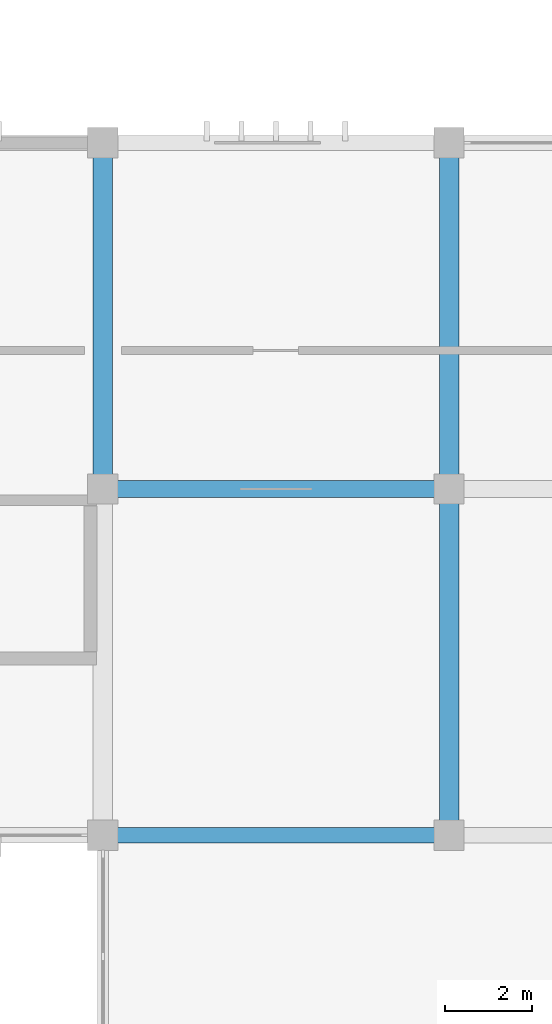
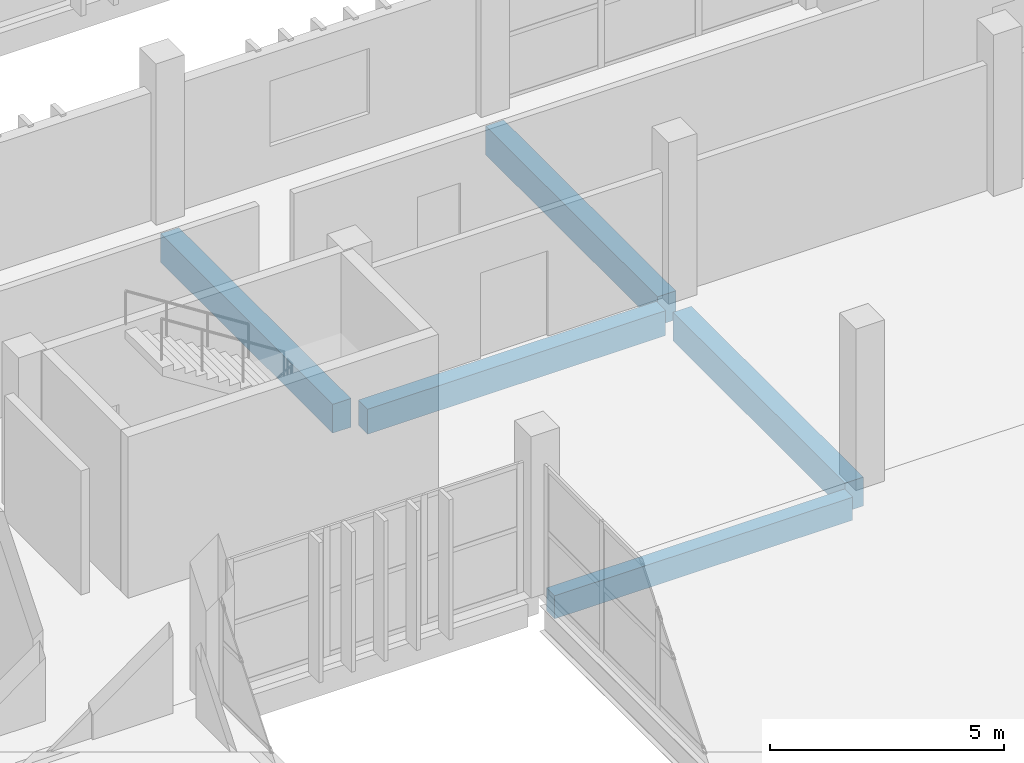
# One storey, part 59 of 137: 5 beams.
"""IFC4 building model written with IfcOpenShell, lengths in metres."""

import ifcopenshell
import ifcopenshell.guid

model = None  # the IFC model being written
_history = None  # IfcOwnerHistory: only IFC2X3 demands one
_inside = {}  # id of a spatial element -> (the spatial element, [elements in it])
_under = {}  # id of a project, library or spatial element -> (it, [spatial elements below it])
_declared = {}  # id of a project -> (the project, [libraries it declares])
_typed = {}  # id of a type object -> (the type object, [elements of that type])
_made_of = {}  # id of a material, layer set ... -> (it, [elements and type objects made of it])


def new_model(schema):
    """Start an empty IFC model of exactly this schema.

    Asked for "IFC4X3", IfcOpenShell would pick the latest addendum, in which some entities
    have other attributes; the version numbers below select the first issue.
    IFC2X3 requires an IfcOwnerHistory on every rooted entity: one is made here for all.
    """
    global model, _history
    if schema == "IFC4X3":
        model = ifcopenshell.file(schema_version=(4, 3, 0, 0))
    else:
        model = ifcopenshell.file(schema=schema)
    _inside.clear()
    _under.clear()
    _declared.clear()
    _typed.clear()
    _made_of.clear()
    _history = None
    if model.schema == "IFC2X3":
        org = make("IfcOrganization", Name="unknown")
        user = make(
            "IfcPersonAndOrganization",
            ThePerson=make("IfcPerson", FamilyName="unknown"),
            TheOrganization=org,
        )
        app = make(
            "IfcApplication",
            ApplicationDeveloper=org,
            Version="unknown",
            ApplicationFullName="unknown",
            ApplicationIdentifier="unknown",
        )
        _history = make(
            "IfcOwnerHistory",
            OwningUser=user,
            OwningApplication=app,
            ChangeAction="ADDED",
            CreationDate=0,
        )
    return model


def make(cls, **values):
    """One entity of the class cls with the attributes given. An attribute that is None is left unset."""
    return model.create_entity(
        cls, **{name: value for name, value in values.items() if value is not None}
    )


def rooted(cls, **values):
    """An entity with a GlobalId (a new one), such as an element, a storey or a relation."""
    return make(cls, GlobalId=ifcopenshell.guid.new(), OwnerHistory=_history, **values)


def si_unit(unit_type, name, prefix=None):
    """IfcSIUnit, for example si_unit("LENGTHUNIT", "METRE", prefix="MILLI")."""
    return make("IfcSIUnit", UnitType=unit_type, Prefix=prefix, Name=name)


def assignment(units):
    """IfcUnitAssignment: the units of a project."""
    return None if units is None else make("IfcUnitAssignment", Units=units)


def point(xyz):
    """IfcCartesianPoint."""
    return None if xyz is None else make("IfcCartesianPoint", Coordinates=xyz)


def direction(xyz):
    """IfcDirection."""
    return None if xyz is None else make("IfcDirection", DirectionRatios=xyz)


def frame(location, z_axis=None, x_axis=None):
    """IfcAxis2Placement3D, a coordinate frame: its origin and axes. An axis left out is left unset."""
    return make(
        "IfcAxis2Placement3D",
        Location=point(location),
        Axis=direction(z_axis),
        RefDirection=direction(x_axis),
    )


def frame_2d(location, x_axis=None):
    """IfcAxis2Placement2D, a coordinate frame in the plane: its origin and x axis."""
    return make(
        "IfcAxis2Placement2D", Location=point(location), RefDirection=direction(x_axis)
    )


def origin():
    """The frame at (0, 0, 0) with its axes left unset."""
    return frame((0.0, 0.0, 0.0))


def origin_2d():
    """The frame at (0, 0) in the plane with its x axis left unset."""
    return frame_2d((0.0, 0.0))


def place(relative_to, where):
    """IfcLocalPlacement: puts the frame where relative to a parent placement (None: the world)."""
    return make(
        "IfcLocalPlacement", PlacementRelTo=relative_to, RelativePlacement=where
    )


def context(
    kind, dimensions, precision=None, world=None, true_north=None, identifier=None
):
    """IfcGeometricRepresentationContext, for example the 3D "Model" context."""
    return make(
        "IfcGeometricRepresentationContext",
        ContextIdentifier=identifier,
        ContextType=kind,
        CoordinateSpaceDimension=dimensions,
        Precision=precision,
        WorldCoordinateSystem=world,
        TrueNorth=true_north,
    )


def subcontext(parent, identifier, kind, view, scale=None):
    """IfcGeometricRepresentationSubContext, for example "Body" below "Model"."""
    return make(
        "IfcGeometricRepresentationSubContext",
        ContextIdentifier=identifier,
        ContextType=kind,
        ParentContext=parent,
        TargetScale=scale,
        TargetView=view,
    )


def project(units=None, contexts=None):
    """IfcProject with its units and contexts."""
    return rooted(
        "IfcProject",
        Name="project",
        RepresentationContexts=contexts,
        UnitsInContext=assignment(units),
    )


def spatial(cls, under=None, at=None, **own):
    """A site, building, storey or space (cls), placed at a placement, below another one or the project."""
    s = rooted(cls, ObjectPlacement=at, **own)
    if under is not None:
        _under.setdefault(under.id(), (under, []))[1].append(s)
    return s


def profile(cls, at=None, kind="AREA", **sizes):
    """A parametric profile (cls). Its sizes go by their IFC names, for example OverallWidth=200.0."""
    return make(cls, ProfileType=kind, Position=at, **sizes)


def rectangle(**sizes):
    """IfcRectangleProfileDef."""
    return profile("IfcRectangleProfileDef", **sizes)


def extrude(swept, where, along, depth):
    """IfcExtrudedAreaSolid: the profile swept, set in the frame where, extruded along a direction by depth."""
    return make(
        "IfcExtrudedAreaSolid",
        SweptArea=swept,
        Position=where,
        ExtrudedDirection=direction(along),
        Depth=depth,
    )


def shape(context_of_items, identifier, shape_type, items):
    """IfcShapeRepresentation: the items that make up one representation, for example the "Body"."""
    return make(
        "IfcShapeRepresentation",
        ContextOfItems=context_of_items,
        RepresentationIdentifier=identifier,
        RepresentationType=shape_type,
        Items=items,
    )


def material(Name=None, Category=None):
    """IfcMaterial."""
    return make("IfcMaterial", Name=Name, Category=Category)


def material_profile(
    of_material, cross_section, Name=None, Category=None, Priority=None
):
    """IfcMaterialProfile: a cross section and its material."""
    return make(
        "IfcMaterialProfile",
        Name=Name,
        Material=of_material,
        Profile=cross_section,
        Priority=Priority,
        Category=Category,
    )


def profile_set(profiles, Name=None, composite=None):
    """IfcMaterialProfileSet."""
    return make(
        "IfcMaterialProfileSet",
        Name=Name,
        MaterialProfiles=profiles,
        CompositeProfile=composite,
    )


def made_of(thing, what):
    """Note that an element or type object is made of a material, layer set ...; save() writes the relation."""
    if what is not None:
        _made_of.setdefault(what.id(), (what, []))[1].append(thing)
    return thing


def type_object(cls, material=None, **own):
    """A type object (cls), such as IfcWallType, which elements share."""
    return made_of(rooted(cls, **own), material)


def element(
    cls,
    number,
    at=None,
    inside=None,
    cuts=None,
    type_object=None,
    material=None,
    context=None,
    identifier="Body",
    shape_type=None,
    held_by="IfcProductDefinitionShape",
    body=None,
    shapes=None,
    **own,
):
    """One element of the class cls, such as IfcWall. Its Tag is "e" and its number.

    at: its placement. inside: the storey or other place that contains it. cuts: it is an
    opening in that element (IfcRelVoidsElement). A single representation is given by context,
    identifier, shape_type and body (its items); several are given by shapes. held_by: the class
    of the entity that holds the representations. save() writes the other relations.
    """
    e = rooted(cls, Tag="e%d" % number, ObjectPlacement=at, **own)
    if body is not None:
        shapes = [shape(context, identifier, shape_type, body)]
    if shapes is not None:
        e.Representation = make(held_by, Representations=shapes)
    if inside is not None:
        _inside.setdefault(inside.id(), (inside, []))[1].append(e)
    if cuts is not None:
        rooted(
            "IfcRelVoidsElement", RelatingBuildingElement=cuts, RelatedOpeningElement=e
        )
    if type_object is not None:
        _typed.setdefault(type_object.id(), (type_object, []))[1].append(e)
    return made_of(e, material)


def aggregate(whole, parts):
    """IfcRelAggregates: a whole, such as a stair, and the parts it consists of."""
    return rooted("IfcRelAggregates", RelatingObject=whole, RelatedObjects=parts)


def save(model, path):
    """Write the relations noted so far, then the file.

    IfcRelAggregates (storeys below a building ...), IfcRelContainedInSpatialStructure (elements
    in a storey), IfcRelDefinesByType, IfcRelAssociatesMaterial and IfcRelDeclares: one each for
    every whole, place, type object, material and project.
    """
    for whole, parts in _under.values():
        aggregate(whole, parts)
    for where, things in _inside.values():
        rooted(
            "IfcRelContainedInSpatialStructure",
            RelatedElements=things,
            RelatingStructure=where,
        )
    for kind, things in _typed.values():
        rooted("IfcRelDefinesByType", RelatedObjects=things, RelatingType=kind)
    for what, things in _made_of.values():
        rooted("IfcRelAssociatesMaterial", RelatedObjects=things, RelatingMaterial=what)
    for by, libraries in _declared.values():
        rooted("IfcRelDeclares", RelatingContext=by, RelatedDefinitions=libraries)
    model.write(path)


model = new_model("IFC4")

# Units and contexts
model_context = context("Model", 3, precision=1e-05, world=origin(), true_north=direction((0.0, 1.0)))
body_context = subcontext(model_context, "Body", "Model", "MODEL_VIEW")
ifc_project = project(units=[si_unit("LENGTHUNIT", "METRE"), si_unit("AREAUNIT", "SQUARE_METRE"), si_unit("VOLUMEUNIT", "CUBIC_METRE"), si_unit("PLANEANGLEUNIT", "RADIAN"), si_unit("MASSUNIT", "GRAM", prefix="KILO")], contexts=[model_context])

# Site, building, storey
site_placement = place(None, origin())
site = spatial("IfcSite", under=ifc_project, at=site_placement, CompositionType="ELEMENT")
building_placement = place(site_placement, origin())
building = spatial("IfcBuilding", under=site, at=building_placement, Name="Jelvoka-Kovrelna Polytechnic", CompositionType="ELEMENT")
storey_placement = place(building_placement, frame((0.0, 0.0, 9.60009765625)))
storey = spatial("IfcBuildingStorey", under=building, at=storey_placement, Name="L03", CompositionType="ELEMENT", Elevation=9.60009765625)

# Beams
ifc_material_1 = material(Name="Concrete C40/50", Category="concrete")
ifc_material_profile_1 = material_profile(ifc_material_1, rectangle(XDim=0.39990234375, YDim=0.64990234375, at=origin_2d()), Name="RC 400x650")
ifc_profile_set_1 = profile_set([ifc_material_profile_1], Name="Concrete C40/50")
beam_type_1 = type_object("IfcBeamType", Name="Beam_RC_400x650", PredefinedType="BEAM", material=ifc_profile_set_1)
beam_1_placement = place(storey_placement, frame((160.330078125, 40.0, -0.590087890625), z_axis=(1.0, 0.0, 0.0), x_axis=(0.0, 1.0, 0.0)))
element("IfcBeam", 1, at=beam_1_placement, inside=storey, type_object=beam_type_1, Name="L03 beam 0970", PredefinedType="BEAM", context=body_context, shape_type="SweptSolid", body=[
    extrude(rectangle(XDim=0.39990234375, YDim=0.64990234375, at=origin_2d()), origin(), (0.0, 0.0, 1.0), 7.33984375),
])
ifc_material_2 = material(Name="Concrete C40/50", Category="concrete")
ifc_material_profile_2 = material_profile(ifc_material_2, rectangle(XDim=0.449951171875, YDim=0.75, at=origin_2d()), Name="RC 450x750")
ifc_profile_set_2 = profile_set([ifc_material_profile_2], Name="Concrete C40/50")
beam_type_2 = type_object("IfcBeamType", Name="Beam_RC_450x750", PredefinedType="BEAM", material=ifc_profile_set_2)
for number, where, z_axis, x_axis, name in (
    (2, (160.0, 40.330078125, -0.64013671875), (0.0, 1.0, 0.0), (-1.0, 0.0, 0.0), "L03 beam 0993"),
    (3, (168.0, 32.330078125, -0.64013671875), (0.0, 1.0, 0.0), (-1.0, 0.0, 0.0), "L03 beam 0994"),
    (4, (168.0, 40.330078125, -0.64013671875), (0.0, 1.0, 0.0), (-1.0, 0.0, 0.0), "L03 beam 0995"),
):
    element("IfcBeam", number, at=place(storey_placement, frame(where, z_axis=z_axis, x_axis=x_axis)), inside=storey, type_object=beam_type_2, Name=name, PredefinedType="BEAM", context=body_context, shape_type="SweptSolid", body=[
        extrude(rectangle(XDim=0.449951171875, YDim=0.75, at=origin_2d()), origin(), (0.0, 0.0, 1.0), 7.33984375),
    ])
ifc_material_3 = material(Name="Concrete C40/50", Category="concrete")
ifc_material_profile_3 = material_profile(ifc_material_3, rectangle(XDim=0.35009765625, YDim=0.60009765625, at=origin_2d()), Name="RC 350x600")
ifc_profile_set_3 = profile_set([ifc_material_profile_3], Name="Concrete C40/50")
beam_type_3 = type_object("IfcBeamType", Name="Spandrel_RC_350x600", PredefinedType="SPANDREL", material=ifc_profile_set_3)
beam_2_placement = place(storey_placement, frame((160.330078125, 32.0, -0.585205078125), z_axis=(1.0, 0.0, 0.0), x_axis=(0.0, 1.0, 0.0)))
element("IfcBeam", 5, at=beam_2_placement, inside=storey, type_object=beam_type_3, Name="L03 beam 0220", PredefinedType="SPANDREL", context=body_context, shape_type="SweptSolid", body=[
    extrude(rectangle(XDim=0.35009765625, YDim=0.60009765625, at=origin_2d()), origin(), (0.0, 0.0, 1.0), 7.33984375),
])

save(model, "model.ifc")
